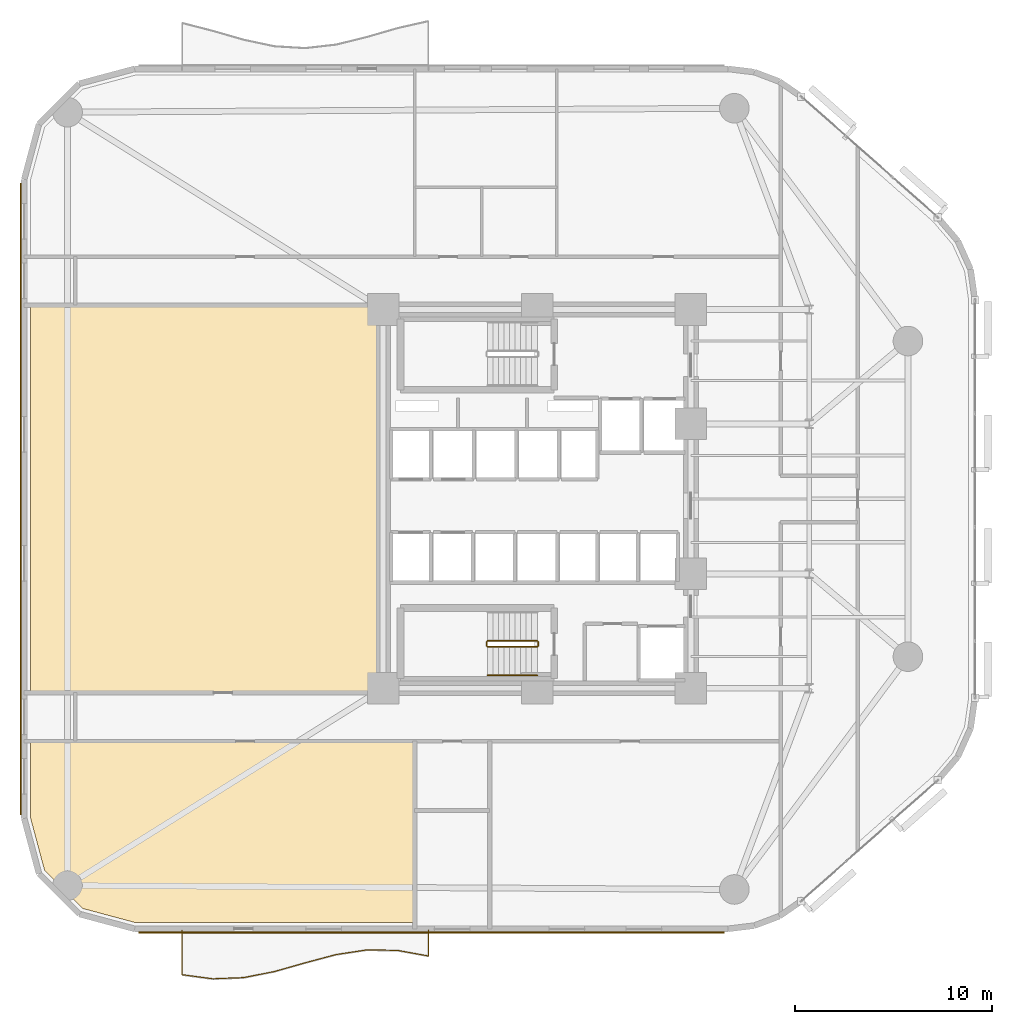
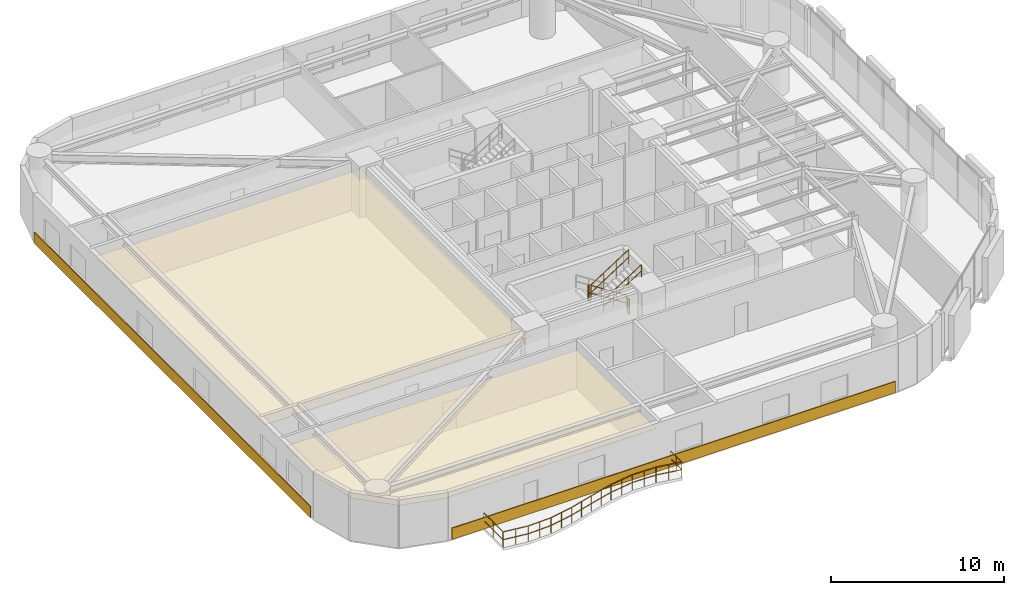
# One storey, part 13 of 15: 6 railings, 4 coverings.
"""IFC4 building model written with IfcOpenShell, lengths in metres."""

from ifc_helpers import new_model, si_unit, direction, frame, origin, origin_2d, place, context, subcontext, project, spatial, polyline, rectangle, circle, outline, extrude, material, layer, layer_set, type_object, element, save


model = new_model("IFC4")

# Units and contexts
model_context = context("Model", 3, precision=1e-05, world=origin(), true_north=direction((0.0, 1.0)))
body_context = subcontext(model_context, "Body", "Model", "MODEL_VIEW")
ifc_project = project(units=[si_unit("LENGTHUNIT", "METRE"), si_unit("AREAUNIT", "SQUARE_METRE"), si_unit("VOLUMEUNIT", "CUBIC_METRE"), si_unit("PLANEANGLEUNIT", "RADIAN"), si_unit("MASSUNIT", "GRAM", prefix="KILO")], contexts=[model_context])

# Site, building, storey
site_placement = place(None, origin())
site = spatial("IfcSite", under=ifc_project, at=site_placement, CompositionType="ELEMENT")
building_placement = place(site_placement, origin())
building = spatial("IfcBuilding", under=site, at=building_placement, Name="An Khanh Terracotta Commons", CompositionType="ELEMENT")
storey_placement = place(building_placement, frame((0.0, 0.0, 64.800048828125)))
storey = spatial("IfcBuildingStorey", under=building, at=storey_placement, Name="L17", CompositionType="ELEMENT", Elevation=64.800048828125)

# Coverings
ifc_material_1 = material(Name="Perforated Mineral-Fibre Acoustic Tile")
ifc_layer_1 = layer(ifc_material_1, 0.02001953125, Name="Perforated Mineral-Fibre Acoustic Tile")
ifc_layer_set_1 = layer_set([ifc_layer_1], Name="Perforated Mineral-Fibre Acoustic Tile")
covering_type_1 = type_object("IfcCoveringType", Name="CEIL-ACOUSTIC-18", PredefinedType="CEILING", material=ifc_layer_set_1)
covering_1_placement = place(storey_placement, frame((0.0, 0.0, 2.64990234375)))
element("IfcCovering", 1, at=covering_1_placement, inside=storey, type_object=covering_type_1, Name="L17 Academic Seminar Room Ceiling", PredefinedType="CEILING", context=body_context, shape_type="SweptSolid", body=[
    extrude(outline(polyline([(9.0419921875, 2.52001953125), (6.365966796875, 3.237060546875), (4.43701171875, 5.166015625), (3.719970703125, 7.842041015625), (3.719970703125, 11.719970703125), (6.0, 11.719970703125), (23.199951171875, 11.719970703125), (23.199951171875, 8.199951171875), (23.199951171875, 2.52001953125), (9.0419921875, 2.52001953125)])), origin(), (0.0, 0.0, 1.0), 0.02001953125),
])
covering_2_placement = place(storey_placement, frame((0.0, 0.0, 2.64990234375)))
element("IfcCovering", 2, at=covering_2_placement, inside=storey, type_object=covering_type_1, Name="L17 Riverfront Reading Hall Ceiling", PredefinedType="CEILING", context=body_context, shape_type="SweptSolid", body=[
    extrude(outline(polyline([(3.719970703125, 33.820068359375), (6.0, 33.820068359375), (21.47998046875, 33.820068359375), (21.47998046875, 33.719970703125), (21.47998046875, 14.280029296875), (21.47998046875, 14.179931640625), (6.0, 14.179931640625), (3.719970703125, 14.179931640625), (3.719970703125, 33.820068359375)])), origin(), (0.0, 0.0, 1.0), 0.02001953125),
])
ifc_material_2 = material(Name="Fired Terracotta Rainscreen Cladding", Category="masonry")
ifc_layer_2 = layer(ifc_material_2, 0.06005859375, Name="Fired Terracotta Rainscreen Cladding")
ifc_layer_set_2 = layer_set([ifc_layer_2], Name="Fired Terracotta Rainscreen Cladding")
covering_type_2 = type_object("IfcCoveringType", Name="COV-SPANDREL-TERRA", PredefinedType="CLADDING", material=ifc_layer_set_2)
covering_3_placement = place(storey_placement, frame((24.0400390625, 2.02001953125, 0.02001953125), z_axis=(0.0, 0.0, 1.0), x_axis=(1.0, 0.0, 0.0)))
element("IfcCovering", 3, at=covering_3_placement, inside=storey, type_object=covering_type_2, Name="L17 Terracotta Spandrel Cladding 4", PredefinedType="CLADDING", context=body_context, shape_type="SweptSolid", body=[
    extrude(rectangle(XDim=29.678955078125, YDim=0.06005859375, at=origin_2d()), origin(), (0.0, 0.0, 1.0), 0.800048828125),
])
covering_4_placement = place(storey_placement, frame((3.219970703125, 24.0, 0.02001953125), z_axis=(0.0, 0.0, 1.0), x_axis=(0.0, -1.0, 0.0)))
element("IfcCovering", 4, at=covering_4_placement, inside=storey, type_object=covering_type_2, Name="L17 Terracotta Spandrel Cladding 24", PredefinedType="CLADDING", context=body_context, shape_type="SweptSolid", body=[
    extrude(rectangle(XDim=32.0, YDim=0.06005859375, at=origin_2d()), origin(), (0.0, 0.0, 1.0), 0.800048828125),
])

# Railings
ifc_material_3 = material(Name="Brushed Stainless Steel 316", Category="steel")
railing_type_1 = type_object("IfcRailingType", Name="RAIL-BALUSTRADE-1100", PredefinedType="BALUSTRADE", material=ifc_material_3)
railing_1_placement = place(storey_placement, frame((11.39990234375, 2.139892578125, 0.0)))
element("IfcRailing", 5, at=railing_1_placement, inside=storey, type_object=railing_type_1, Name="L17 S Wave Balcony Guard Balustrade", PredefinedType="BALUSTRADE", context=body_context, shape_type="SweptSolid", body=[
    extrude(circle(Radius=0.02392578125, at=origin_2d()), frame((0.0, 0.0, 1.076171875), z_axis=(0.0, -1.0, 0.0), x_axis=(1.0, 0.0, 0.0)), (0.0, 0.0, 1.0), 2.260009765625),
    extrude(circle(Radius=0.02392578125, at=origin_2d()), frame((0.0, 0.0, 0.52587890625), z_axis=(0.0, -1.0, 0.0), x_axis=(1.0, 0.0, 0.0)), (0.0, 0.0, 1.0), 2.260009765625),
    extrude(circle(Radius=0.02392578125, at=origin_2d()), frame((0.0, -2.260009765625, 1.076171875), z_axis=(0.991179155362, -0.132528796781, 0.0), x_axis=(0.132528796781, 0.991179155362, 0.0)), (0.0, 0.0, 1.0), 1.576904296875),
    extrude(circle(Radius=0.02392578125, at=origin_2d()), frame((0.0, -2.260009765625, 0.52587890625), z_axis=(0.991179155362, -0.132528796781, 0.0), x_axis=(0.132528796781, 0.991179155362, 0.0)), (0.0, 0.0, 1.0), 1.576904296875),
    extrude(circle(Radius=0.02392578125, at=origin_2d()), frame((1.56298828125, -2.468994140625, 1.076171875), z_axis=(0.999237456582, 0.039044914684, 0.0), x_axis=(-0.039044914684, 0.999237456582, 0.0)), (0.0, 0.0, 1.0), 1.563232421875),
    extrude(circle(Radius=0.02392578125, at=origin_2d()), frame((1.56298828125, -2.468994140625, 0.52587890625), z_axis=(0.999237456582, 0.039044914684, 0.0), x_axis=(-0.039044914684, 0.999237456582, 0.0)), (0.0, 0.0, 1.0), 1.563232421875),
    extrude(circle(Radius=0.02392578125, at=origin_2d()), frame((3.125, -2.407958984375, 1.076171875), z_axis=(0.981096253016, 0.193520392514, 0.0), x_axis=(-0.193520392514, 0.981096253016, 0.0)), (0.0, 0.0, 1.0), 1.592041015625),
    extrude(circle(Radius=0.02392578125, at=origin_2d()), frame((3.125, -2.407958984375, 0.52587890625), z_axis=(0.981096253016, 0.193520392514, 0.0), x_axis=(-0.193520392514, 0.981096253016, 0.0)), (0.0, 0.0, 1.0), 1.592041015625),
    extrude(circle(Radius=0.02392578125, at=origin_2d()), frame((4.68701171875, -2.099853515625, 1.076171875), z_axis=(0.961964976531, 0.273172809643, 0.0), x_axis=(-0.273172809643, 0.961964976531, 0.0)), (0.0, 0.0, 1.0), 1.624755859375),
    extrude(circle(Radius=0.02392578125, at=origin_2d()), frame((4.68701171875, -2.099853515625, 0.52587890625), z_axis=(0.961964976531, 0.273172809643, 0.0), x_axis=(-0.273172809643, 0.961964976531, 0.0)), (0.0, 0.0, 1.0), 1.624755859375),
    extrude(circle(Radius=0.02392578125, at=origin_2d()), frame((6.25, -1.656005859375, 1.076171875), z_axis=(0.966315109969, 0.257361823599, 0.0), x_axis=(-0.257361823599, 0.966315109969, 0.0)), (0.0, 0.0, 1.0), 1.616455078125),
    extrude(circle(Radius=0.02392578125, at=origin_2d()), frame((6.25, -1.656005859375, 0.52587890625), z_axis=(0.966315109969, 0.257361823599, 0.0), x_axis=(-0.257361823599, 0.966315109969, 0.0)), (0.0, 0.0, 1.0), 1.616455078125),
    extrude(circle(Radius=0.02392578125, at=origin_2d()), frame((7.81201171875, -1.239990234375, 1.076171875), z_axis=(0.988600856151, 0.150560111644, 0.0), x_axis=(-0.150560111644, 0.988600856151, 0.0)), (0.0, 0.0, 1.0), 1.5810546875),
    extrude(circle(Radius=0.02392578125, at=origin_2d()), frame((7.81201171875, -1.239990234375, 0.52587890625), z_axis=(0.988600856151, 0.150560111644, 0.0), x_axis=(-0.150560111644, 0.988600856151, 0.0)), (0.0, 0.0, 1.0), 1.5810546875),
    extrude(circle(Radius=0.02392578125, at=origin_2d()), frame((9.375, -1.001953125, 1.076171875), z_axis=(0.999841296012, -0.017815240348, 0.0), x_axis=(0.017815240348, 0.999841296012, 0.0)), (0.0, 0.0, 1.0), 1.562255859375),
    extrude(circle(Radius=0.02392578125, at=origin_2d()), frame((9.375, -1.001953125, 0.52587890625), z_axis=(0.999841296012, -0.017815240348, 0.0), x_axis=(0.017815240348, 0.999841296012, 0.0)), (0.0, 0.0, 1.0), 1.562255859375),
    extrude(circle(Radius=0.02392578125, at=origin_2d()), frame((10.93701171875, -1.02978515625, 1.076171875), z_axis=(0.983977933871, -0.1782902848, 0.0), x_axis=(0.1782902848, 0.983977933871, 0.0)), (0.0, 0.0, 1.0), 1.58837890625),
    extrude(circle(Radius=0.02392578125, at=origin_2d()), frame((10.93701171875, -1.02978515625, 0.52587890625), z_axis=(0.983977933871, -0.1782902848, 0.0), x_axis=(0.1782902848, 0.983977933871, 0.0)), (0.0, 0.0, 1.0), 1.58837890625),
    extrude(circle(Radius=0.02392578125, at=origin_2d()), frame((12.5, -1.31298828125, 1.076171875), z_axis=(0.0, 1.0, 0.0), x_axis=(-1.0, 0.0, 0.0)), (0.0, 0.0, 1.0), 1.31298828125),
    extrude(circle(Radius=0.02392578125, at=origin_2d()), frame((12.5, -1.31298828125, 0.52587890625), z_axis=(0.0, 1.0, 0.0), x_axis=(-1.0, 0.0, 0.0)), (0.0, 0.0, 1.0), 1.31298828125),
    extrude(circle(Radius=0.02099609375, at=origin_2d()), origin(), (0.0, 0.0, 1.0), 1.052001953125),
    extrude(circle(Radius=0.02099609375, at=origin_2d()), frame((0.0, -1.1298828125, 0.0)), (0.0, 0.0, 1.0), 1.052001953125),
    extrude(circle(Radius=0.02099609375, at=origin_2d()), frame((0.0, -2.260009765625, 0.0)), (0.0, 0.0, 1.0), 1.052001953125),
    extrude(circle(Radius=0.02099609375, at=origin_2d()), frame((0.781494140625, -2.364501953125, 0.0)), (0.0, 0.0, 1.0), 1.052001953125),
    extrude(circle(Radius=0.02099609375, at=origin_2d()), frame((1.56298828125, -2.468994140625, 0.0)), (0.0, 0.0, 1.0), 1.052001953125),
    extrude(circle(Radius=0.02099609375, at=origin_2d()), frame((2.343994140625, -2.4384765625, 0.0)), (0.0, 0.0, 1.0), 1.052001953125),
    extrude(circle(Radius=0.02099609375, at=origin_2d()), frame((3.125, -2.407958984375, 0.0)), (0.0, 0.0, 1.0), 1.052001953125),
    extrude(circle(Radius=0.02099609375, at=origin_2d()), frame((3.906005859375, -2.25390625, 0.0)), (0.0, 0.0, 1.0), 1.052001953125),
    extrude(circle(Radius=0.02099609375, at=origin_2d()), frame((4.68701171875, -2.099853515625, 0.0)), (0.0, 0.0, 1.0), 1.052001953125),
    extrude(circle(Radius=0.02099609375, at=origin_2d()), frame((5.468505859375, -1.8779296875, 0.0)), (0.0, 0.0, 1.0), 1.052001953125),
    extrude(circle(Radius=0.02099609375, at=origin_2d()), frame((6.25, -1.656005859375, 0.0)), (0.0, 0.0, 1.0), 1.052001953125),
    extrude(circle(Radius=0.02099609375, at=origin_2d()), frame((7.031005859375, -1.447998046875, 0.0)), (0.0, 0.0, 1.0), 1.052001953125),
    extrude(circle(Radius=0.02099609375, at=origin_2d()), frame((7.81201171875, -1.239990234375, 0.0)), (0.0, 0.0, 1.0), 1.052001953125),
    extrude(circle(Radius=0.02099609375, at=origin_2d()), frame((8.593505859375, -1.12109375, 0.0)), (0.0, 0.0, 1.0), 1.052001953125),
    extrude(circle(Radius=0.02099609375, at=origin_2d()), frame((9.375, -1.001953125, 0.0)), (0.0, 0.0, 1.0), 1.052001953125),
    extrude(circle(Radius=0.02099609375, at=origin_2d()), frame((10.156005859375, -1.015869140625, 0.0)), (0.0, 0.0, 1.0), 1.052001953125),
    extrude(circle(Radius=0.02099609375, at=origin_2d()), frame((10.93701171875, -1.02978515625, 0.0)), (0.0, 0.0, 1.0), 1.052001953125),
    extrude(circle(Radius=0.02099609375, at=origin_2d()), frame((11.718505859375, -1.17138671875, 0.0)), (0.0, 0.0, 1.0), 1.052001953125),
    extrude(circle(Radius=0.02099609375, at=origin_2d()), frame((12.5, -1.31298828125, 0.0)), (0.0, 0.0, 1.0), 1.052001953125),
    extrude(circle(Radius=0.02099609375, at=origin_2d()), frame((12.5, -0.656494140625, 0.0)), (0.0, 0.0, 1.0), 1.052001953125),
    extrude(circle(Radius=0.02099609375, at=origin_2d()), frame((12.5, 0.0, 0.0)), (0.0, 0.0, 1.0), 1.052001953125),
])
railing_type_2 = type_object("IfcRailingType", Name="RAIL-HANDRAIL-900", PredefinedType="HANDRAIL", material=ifc_material_3)
railing_2_placement = place(storey_placement, frame((26.889892578125, 15.050048828125, 1.97998046875)))
element("IfcRailing", 6, at=railing_2_placement, inside=storey, type_object=railing_type_2, Name="L17 ST-02 stair handrail 2", PredefinedType="HANDRAIL", context=body_context, shape_type="SweptSolid", body=[
    extrude(circle(Radius=0.02392578125, at=origin_2d()), frame((0.0, 0.0, 0.8759765625), z_axis=(0.841199657755, 0.0, 0.540724639528), x_axis=(0.0, 1.0, 0.0)), (0.0, 0.0, 1.0), 2.995849609375),
    extrude(circle(Radius=0.02392578125, at=origin_2d()), frame((0.0, 0.0, 0.42578125), z_axis=(0.841199657755, 0.0, 0.540724639528), x_axis=(0.0, 1.0, 0.0)), (0.0, 0.0, 1.0), 2.995849609375),
    extrude(circle(Radius=0.02099609375, at=origin_2d()), origin(), (0.0, 0.0, 1.0), 0.851806640625),
    extrude(circle(Radius=0.02099609375, at=origin_2d()), frame((0.840087890625, 0.0, 0.5400390625)), (0.0, 0.0, 1.0), 0.851806640625),
    extrude(circle(Radius=0.02099609375, at=origin_2d()), frame((1.679931640625, 0.0, 1.079833984375)), (0.0, 0.0, 1.0), 0.851806640625),
    extrude(circle(Radius=0.02099609375, at=origin_2d()), frame((2.52001953125, 0.0, 1.619873046875)), (0.0, 0.0, 1.0), 0.851806640625),
])
ifc_material_4 = material(Name="Powder-Coated Steel S355J2", Category="steel")
railing_type_3 = type_object("IfcRailingType", Name="RAIL-STAIR-GUARD-1100", PredefinedType="BALUSTRADE", material=ifc_material_4)
railing_3_placement = place(storey_placement, frame((29.409912109375, 16.800048828125, 0.179931640625)))
element("IfcRailing", 7, at=railing_3_placement, inside=storey, type_object=railing_type_3, Name="L17 ST-02 stair guard 1", PredefinedType="BALUSTRADE", context=body_context, shape_type="SweptSolid", body=[
    extrude(circle(Radius=0.02392578125, at=origin_2d()), frame((0.0, 0.0, 1.076171875), z_axis=(-0.841162588446, 0.0, 0.540782303519), x_axis=(0.0, -1.0, 0.0)), (0.0, 0.0, 1.0), 2.995849609375),
    extrude(circle(Radius=0.02392578125, at=origin_2d()), frame((0.0, 0.0, 0.52587890625), z_axis=(-0.841162588446, 0.0, 0.540782303519), x_axis=(0.0, -1.0, 0.0)), (0.0, 0.0, 1.0), 2.995849609375),
    extrude(circle(Radius=0.02099609375, at=origin_2d()), origin(), (0.0, 0.0, 1.0), 1.052001953125),
    extrude(circle(Radius=0.02099609375, at=origin_2d()), frame((-0.840087890625, 0.0, 0.5400390625)), (0.0, 0.0, 1.0), 1.052001953125),
    extrude(circle(Radius=0.02099609375, at=origin_2d()), frame((-1.679931640625, 0.0, 1.080078125)), (0.0, 0.0, 1.0), 1.052001953125),
    extrude(circle(Radius=0.02099609375, at=origin_2d()), frame((-2.52001953125, 0.0, 1.6201171875)), (0.0, 0.0, 1.0), 1.052001953125),
])
railing_4_placement = place(storey_placement, frame((26.840087890625, 16.75, 1.800048828125)))
element("IfcRailing", 8, at=railing_4_placement, inside=storey, type_object=railing_type_3, Name="L17 ST-02 stair guard 2", PredefinedType="BALUSTRADE", context=body_context, shape_type="SweptSolid", body=[
    extrude(circle(Radius=0.02392578125, at=origin_2d()), frame((0.0, 0.0, 1.076171875), z_axis=(0.0, -1.0, 0.0), x_axis=(1.0, 0.0, 0.0)), (0.0, 0.0, 1.0), 0.199951171875),
    extrude(circle(Radius=0.02392578125, at=origin_2d()), frame((0.0, 0.0, 0.52587890625), z_axis=(0.0, -1.0, 0.0), x_axis=(1.0, 0.0, 0.0)), (0.0, 0.0, 1.0), 0.199951171875),
    extrude(circle(Radius=0.02099609375, at=origin_2d()), origin(), (0.0, 0.0, 1.0), 1.052001953125),
    extrude(circle(Radius=0.02099609375, at=origin_2d()), frame((0.0, -0.199951171875, 0.0)), (0.0, 0.0, 1.0), 1.052001953125),
])
railing_5_placement = place(storey_placement, frame((26.889892578125, 16.5, 1.97998046875)))
element("IfcRailing", 9, at=railing_5_placement, inside=storey, type_object=railing_type_3, Name="L17 ST-02 stair guard 3", PredefinedType="BALUSTRADE", context=body_context, shape_type="SweptSolid", body=[
    extrude(circle(Radius=0.02392578125, at=origin_2d()), frame((0.0, 0.0, 1.076171875), z_axis=(0.841199657755, 0.0, 0.540724639528), x_axis=(0.0, 1.0, 0.0)), (0.0, 0.0, 1.0), 2.995849609375),
    extrude(circle(Radius=0.02392578125, at=origin_2d()), frame((0.0, 0.0, 0.52587890625), z_axis=(0.841199657755, 0.0, 0.540724639528), x_axis=(0.0, 1.0, 0.0)), (0.0, 0.0, 1.0), 2.995849609375),
    extrude(circle(Radius=0.02099609375, at=origin_2d()), origin(), (0.0, 0.0, 1.0), 1.052001953125),
    extrude(circle(Radius=0.02099609375, at=origin_2d()), frame((0.840087890625, 0.0, 0.5400390625)), (0.0, 0.0, 1.0), 1.052001953125),
    extrude(circle(Radius=0.02099609375, at=origin_2d()), frame((1.679931640625, 0.0, 1.079833984375)), (0.0, 0.0, 1.0), 1.052001953125),
    extrude(circle(Radius=0.02099609375, at=origin_2d()), frame((2.52001953125, 0.0, 1.619873046875)), (0.0, 0.0, 1.0), 1.052001953125),
])
railing_6_placement = place(storey_placement, frame((29.4599609375, 16.75, 0.0)))
element("IfcRailing", 10, at=railing_6_placement, inside=storey, type_object=railing_type_3, Name="L17 ST-02 stair guard 4", PredefinedType="BALUSTRADE", context=body_context, shape_type="SweptSolid", body=[
    extrude(circle(Radius=0.02392578125, at=origin_2d()), frame((0.0, 0.0, 1.076171875), z_axis=(0.0, -1.0, 0.0), x_axis=(1.0, 0.0, 0.0)), (0.0, 0.0, 1.0), 0.199951171875),
    extrude(circle(Radius=0.02392578125, at=origin_2d()), frame((0.0, 0.0, 0.52587890625), z_axis=(0.0, -1.0, 0.0), x_axis=(1.0, 0.0, 0.0)), (0.0, 0.0, 1.0), 0.199951171875),
    extrude(circle(Radius=0.02099609375, at=origin_2d()), origin(), (0.0, 0.0, 1.0), 1.052001953125),
    extrude(circle(Radius=0.02099609375, at=origin_2d()), frame((0.0, -0.199951171875, 0.0)), (0.0, 0.0, 1.0), 1.052001953125),
])

save(model, "model.ifc")
